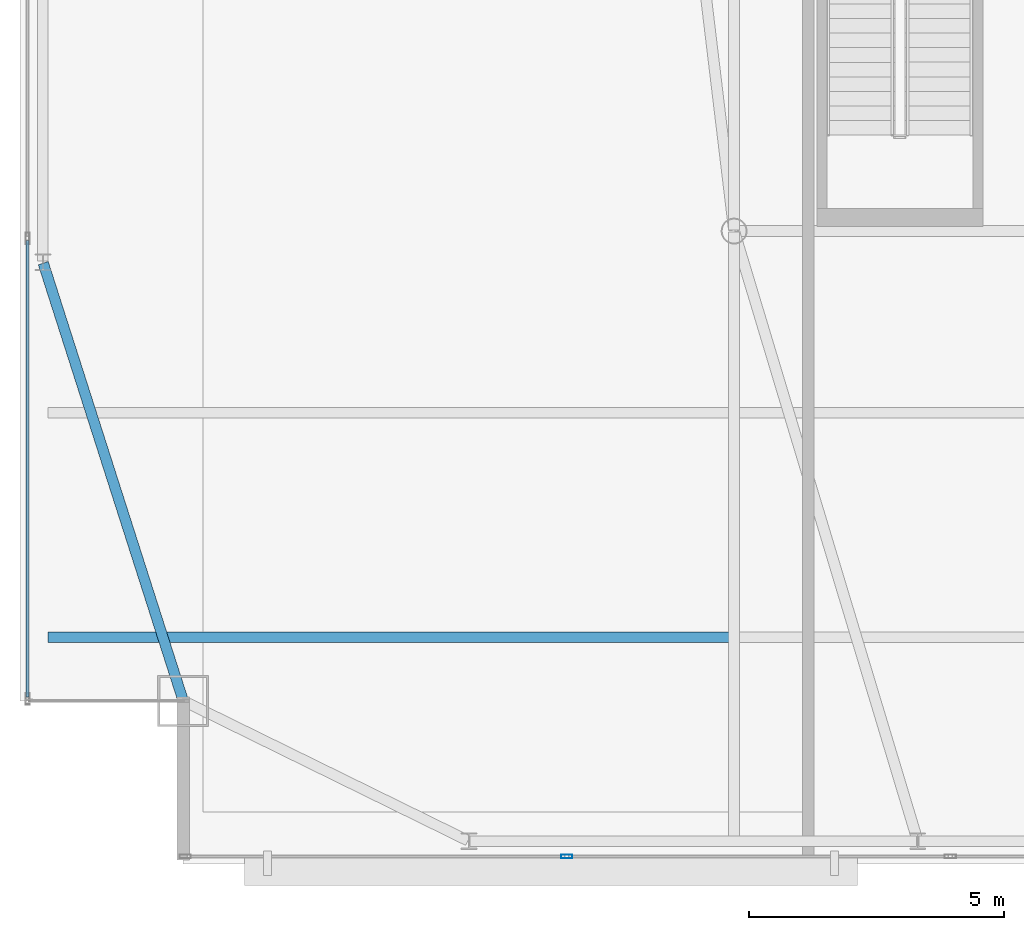
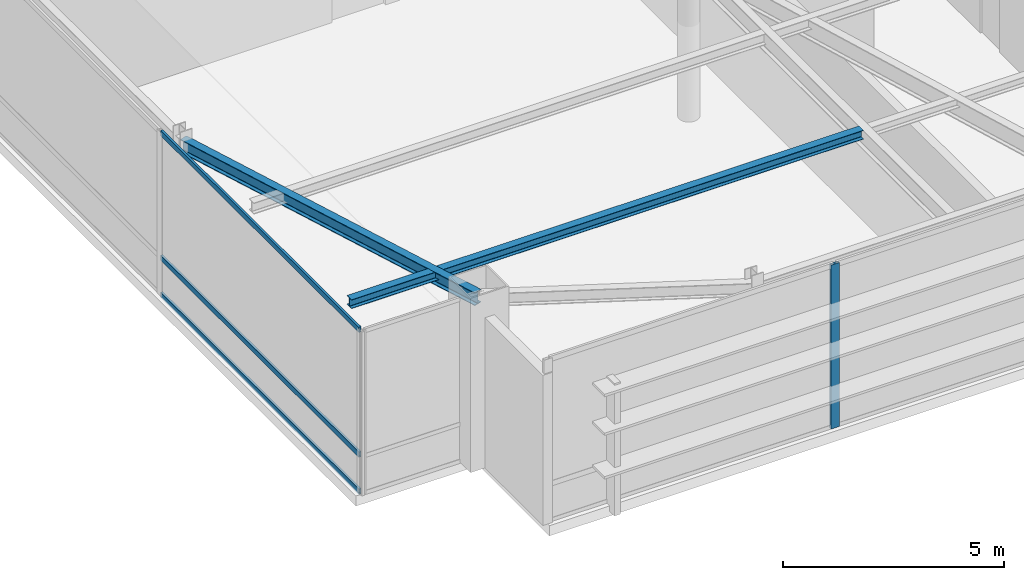
# One storey, part 5 of 21: 4 members, 2 beams, 2 elements without a shape of their own.
"""IFC4 building model written with IfcOpenShell, lengths in metres."""

from ifc_helpers import new_model, si_unit, direction, frame, origin, origin_2d, place, context, subcontext, project, spatial, hollow_rectangle, i_section, extrude, source, transform, mapped, material, layer, layer_set, material_profile, profile_set, type_object, type_shapes, element, aggregate, save


model = new_model("IFC4")

# Units and contexts
model_context = context("Model", 3, precision=1e-05, world=origin(), true_north=direction((0.0, 1.0)))
body_context = subcontext(model_context, "Body", "Model", "MODEL_VIEW")
ifc_project = project(units=[si_unit("LENGTHUNIT", "METRE"), si_unit("AREAUNIT", "SQUARE_METRE"), si_unit("VOLUMEUNIT", "CUBIC_METRE"), si_unit("PLANEANGLEUNIT", "RADIAN"), si_unit("MASSUNIT", "GRAM", prefix="KILO")], contexts=[model_context])

# Site, building, storey
site_placement = place(None, origin())
site = spatial("IfcSite", under=ifc_project, at=site_placement, CompositionType="ELEMENT")
building_placement = place(site_placement, origin())
building = spatial("IfcBuilding", under=site, at=building_placement, Name="Varnel Quay Broadcast Tower", CompositionType="ELEMENT")
storey_placement = place(building_placement, frame((0.0, 0.0, 300.199951171875)))
storey = spatial("IfcBuildingStorey", under=building, at=storey_placement, Name="L75", CompositionType="ELEMENT", Elevation=300.199951171875)

# Beams
ifc_material_1 = material(Name="Structural Steel CSA G40.21 350W", Category="steel")
ifc_material_profile_1 = material_profile(ifc_material_1, i_section(OverallWidth=0.205078125, OverallDepth=0.35400390625, WebThickness=0.009521484375, FlangeThickness=0.016845703125, FilletRadius=0.012939453125, at=origin_2d()), Name="W360X79")
ifc_profile_set_1 = profile_set([ifc_material_profile_1], Name="Structural Steel CSA G40.21 350W")
beam_type_1 = type_object("IfcBeamType", Name="Beam_W360X79", PredefinedType="SPANDREL", material=ifc_profile_set_1)
shared_shape_1 = source(origin(), body_context, "Body", "SweptSolid", [
    extrude(i_section(OverallWidth=0.205078125, OverallDepth=0.35400390625, WebThickness=0.009521484375, FlangeThickness=0.016845703125, FilletRadius=0.012939453125, at=origin_2d()), origin(), (0.0, 0.0, 1.0), 8.989013671875),
])
type_shapes(beam_type_1, [shared_shape_1])
beam_1_placement = place(storey_placement, frame((15.19384765625, 16.4189453125, 4.343017578125), z_axis=(-0.304568770162, 0.952490348635, 0.0), x_axis=(-0.952490348635, -0.304568770162, 0.0)))
element("IfcBeam", 1, at=beam_1_placement, inside=storey, type_object=beam_type_1, Name="L75 West Spandrel MC-SW-TC-W1", PredefinedType="SPANDREL", context=body_context, shape_type="MappedRepresentation", body=[
    mapped(shared_shape_1, transform((0.0, 0.0, 0.0), x_axis=(1.0, 0.0, 0.0), y_axis=(0.0, 1.0, 0.0), z_axis=(0.0, 0.0, 1.0), scale=1.0)),
])
ifc_material_profile_2 = material_profile(ifc_material_1, i_section(OverallWidth=0.201904296875, OverallDepth=0.2470703125, WebThickness=0.00732421875, FlangeThickness=0.010986328125, FilletRadius=0.010986328125, at=origin_2d()), Name="W250X49")
ifc_profile_set_2 = profile_set([ifc_material_profile_2], Name="Structural Steel CSA G40.21 350W")
beam_type_2 = type_object("IfcBeamType", Name="Beam_W250X49", PredefinedType="JOIST", material=ifc_profile_set_2)
shared_shape_2 = source(origin(), body_context, "Body", "SweptSolid", [
    extrude(i_section(OverallWidth=0.201904296875, OverallDepth=0.2470703125, WebThickness=0.00732421875, FlangeThickness=0.010986328125, FilletRadius=0.010986328125, at=origin_2d()), origin(), (0.0, 0.0, 1.0), 13.351318359375),
])
type_shapes(beam_type_2, [shared_shape_2])
beam_2_placement = place(storey_placement, frame((12.547607421875, 17.64990234375, 4.396484375), z_axis=(1.0, 0.0, 0.0), x_axis=(0.0, 1.0, 0.0)))
element("IfcBeam", 2, at=beam_2_placement, inside=storey, type_object=beam_type_2, Name="L75 West Floor Joist 1", PredefinedType="JOIST", context=body_context, shape_type="MappedRepresentation", body=[
    mapped(shared_shape_2, transform((0.0, 0.0, 0.0), x_axis=(1.0, 0.0, 0.0), y_axis=(0.0, 1.0, 0.0), z_axis=(0.0, 0.0, 1.0), scale=1.0)),
])

# Curtain wall, member
ifc_material_2 = material(Name="Anodised Bronze Aluminium 6063-T6", Category="aluminium")
ifc_layer = layer(ifc_material_2, 0.18994140625, Name="Anodised Bronze Aluminium 6063-T6")
ifc_layer_set = layer_set([ifc_layer], Name="Anodised Bronze Aluminium 6063-T6")
curtain_wall_type = type_object("IfcCurtainWallType", Name="CW_SkyObsHighVis", PredefinedType="NOTDEFINED", material=ifc_layer_set)
curtain_wall_1_placement = place(storey_placement, origin())
curtain_wall_1 = element("IfcCurtainWall", 3, at=curtain_wall_1_placement, inside=storey, type_object=curtain_wall_type, Name="L75 South Unitised Curtain Wall 1", PredefinedType="NOTDEFINED")
ifc_material_profile_3 = material_profile(ifc_material_2, hollow_rectangle(XDim=0.074951171875, YDim=0.219970703125, WallThickness=0.00390625, at=origin_2d()), Name="ALU75X220X4")
ifc_profile_set_3 = profile_set([ifc_material_profile_3], Name="Anodised Bronze Aluminium 6063-T6")
member_type_1 = type_object("IfcMemberType", Name="Mull_CWS-05", PredefinedType="MULLION", material=ifc_profile_set_3)
shared_shape_3 = source(origin(), body_context, "Body", "SweptSolid", [
    extrude(hollow_rectangle(XDim=0.074951171875, YDim=0.219970703125, WallThickness=0.00390625, at=origin_2d()), origin(), (0.0, 0.0, 1.0), 4.52001953125),
])
type_shapes(member_type_1, [shared_shape_3])
member_1_placement = place(storey_placement, frame((22.719970703125, 13.35009765625, 0.0), z_axis=(0.0, 0.0, 1.0), x_axis=(0.0, 1.0, 0.0)))
member_1 = element("IfcMember", 4, at=member_1_placement, type_object=member_type_1, Name="CWS-05 mullion 2", PredefinedType="MULLION", context=body_context, shape_type="MappedRepresentation", body=[
    mapped(shared_shape_3, transform((0.0, 0.0, 0.0), x_axis=(1.0, 0.0, 0.0), y_axis=(0.0, 1.0, 0.0), z_axis=(0.0, 0.0, 1.0), scale=1.0)),
])
aggregate(curtain_wall_1, [member_1])

# Curtain wall, members
curtain_wall_2_placement = place(storey_placement, origin())
curtain_wall_2 = element("IfcCurtainWall", 5, at=curtain_wall_2_placement, inside=storey, type_object=curtain_wall_type, Name="L75 West Unitised Curtain Wall", PredefinedType="NOTDEFINED")
ifc_material_profile_4 = material_profile(ifc_material_2, hollow_rectangle(XDim=0.06005859375, YDim=0.14501953125, WallThickness=0.00341796875, at=origin_2d()), Name="ALU60X145X3.5")
ifc_profile_set_4 = profile_set([ifc_material_profile_4], Name="Anodised Bronze Aluminium 6063-T6")
member_type_2 = type_object("IfcMemberType", Name="Tran_CWS-05", PredefinedType="USERDEFINED", material=ifc_profile_set_4)
shared_shape_4 = source(origin(), body_context, "Body", "SweptSolid", [
    extrude(hollow_rectangle(XDim=0.06005859375, YDim=0.14501953125, WallThickness=0.00341796875, at=origin_2d()), origin(), (0.0, 0.0, 1.0), 8.9541015625),
])
type_shapes(member_type_2, [shared_shape_4])
member_2_placement = place(storey_placement, frame((12.14990234375, 16.47509765625, 0.030029296875), z_axis=(0.0, 1.0, 0.0), x_axis=(-1.0, 0.0, 0.0)))
member_2 = element("IfcMember", 6, at=member_2_placement, type_object=member_type_2, Name="CWS-05 transom 1.1", ObjectType="TRANSOM", PredefinedType="USERDEFINED", context=body_context, shape_type="MappedRepresentation", body=[
    mapped(shared_shape_4, transform((0.0, 0.0, 0.0), x_axis=(1.0, 0.0, 0.0), y_axis=(0.0, 1.0, 0.0), z_axis=(0.0, 0.0, 1.0), scale=1.0)),
])
member_3_placement = place(storey_placement, frame((12.14990234375, 16.47509765625, 1.050048828125), z_axis=(0.0, 1.0, 0.0), x_axis=(-1.0, 0.0, 0.0)))
member_3 = element("IfcMember", 7, at=member_3_placement, type_object=member_type_2, Name="CWS-05 transom 1.2", ObjectType="TRANSOM", PredefinedType="USERDEFINED", context=body_context, shape_type="MappedRepresentation", body=[
    mapped(shared_shape_4, transform((0.0, 0.0, 0.0), x_axis=(1.0, 0.0, 0.0), y_axis=(0.0, 1.0, 0.0), z_axis=(0.0, 0.0, 1.0), scale=1.0)),
])
member_4_placement = place(storey_placement, frame((12.14990234375, 16.47509765625, 4.489990234375), z_axis=(0.0, 1.0, 0.0), x_axis=(-1.0, 0.0, 0.0)))
member_4 = element("IfcMember", 8, at=member_4_placement, type_object=member_type_2, Name="CWS-05 transom 1.3", ObjectType="TRANSOM", PredefinedType="USERDEFINED", context=body_context, shape_type="MappedRepresentation", body=[
    mapped(shared_shape_4, transform((0.0, 0.0, 0.0), x_axis=(1.0, 0.0, 0.0), y_axis=(0.0, 1.0, 0.0), z_axis=(0.0, 0.0, 1.0), scale=1.0)),
])
aggregate(curtain_wall_2, [member_2, member_3, member_4])

save(model, "model.ifc")
